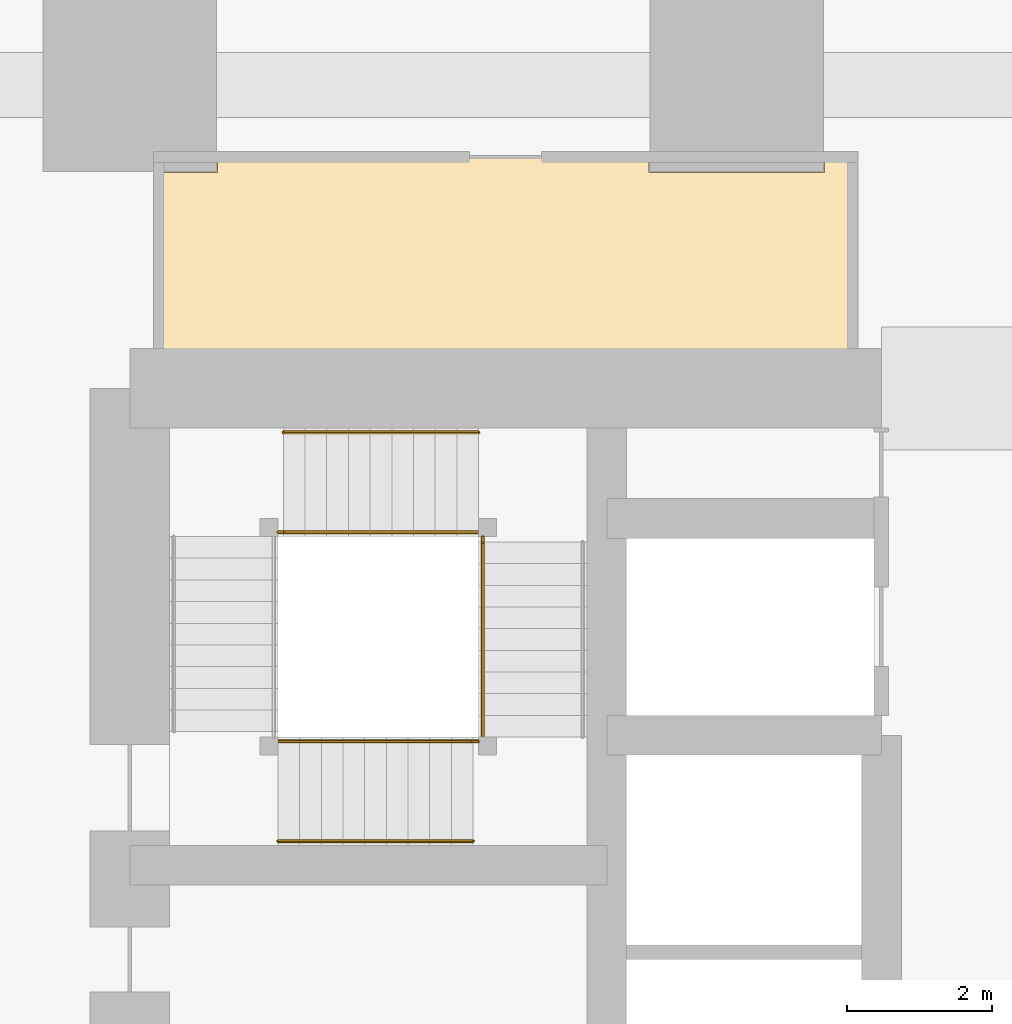
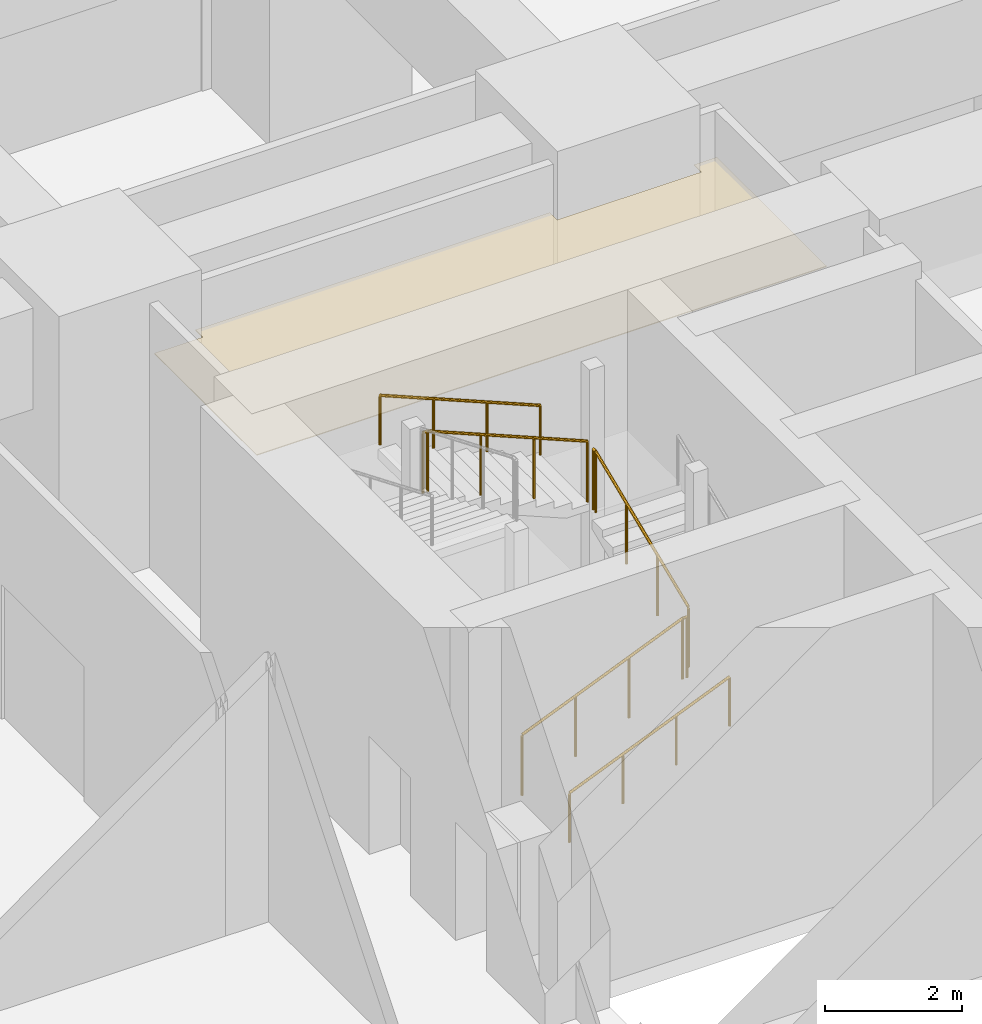
# One storey, part 46 of 49: 8 railings, 1 covering.
"""IFC4 building model written with IfcOpenShell, lengths in metres."""

import ifcopenshell
import ifcopenshell.guid

model = None  # the IFC model being written
_history = None  # IfcOwnerHistory: only IFC2X3 demands one
_inside = {}  # id of a spatial element -> (the spatial element, [elements in it])
_under = {}  # id of a project, library or spatial element -> (it, [spatial elements below it])
_declared = {}  # id of a project -> (the project, [libraries it declares])
_typed = {}  # id of a type object -> (the type object, [elements of that type])
_made_of = {}  # id of a material, layer set ... -> (it, [elements and type objects made of it])


def new_model(schema):
    """Start an empty IFC model of exactly this schema.

    Asked for "IFC4X3", IfcOpenShell would pick the latest addendum, in which some entities
    have other attributes; the version numbers below select the first issue.
    IFC2X3 requires an IfcOwnerHistory on every rooted entity: one is made here for all.
    """
    global model, _history
    if schema == "IFC4X3":
        model = ifcopenshell.file(schema_version=(4, 3, 0, 0))
    else:
        model = ifcopenshell.file(schema=schema)
    _inside.clear()
    _under.clear()
    _declared.clear()
    _typed.clear()
    _made_of.clear()
    _history = None
    if model.schema == "IFC2X3":
        org = make("IfcOrganization", Name="unknown")
        user = make(
            "IfcPersonAndOrganization",
            ThePerson=make("IfcPerson", FamilyName="unknown"),
            TheOrganization=org,
        )
        app = make(
            "IfcApplication",
            ApplicationDeveloper=org,
            Version="unknown",
            ApplicationFullName="unknown",
            ApplicationIdentifier="unknown",
        )
        _history = make(
            "IfcOwnerHistory",
            OwningUser=user,
            OwningApplication=app,
            ChangeAction="ADDED",
            CreationDate=0,
        )
    return model


def make(cls, **values):
    """One entity of the class cls with the attributes given. An attribute that is None is left unset."""
    return model.create_entity(
        cls, **{name: value for name, value in values.items() if value is not None}
    )


def rooted(cls, **values):
    """An entity with a GlobalId (a new one), such as an element, a storey or a relation."""
    return make(cls, GlobalId=ifcopenshell.guid.new(), OwnerHistory=_history, **values)


def si_unit(unit_type, name, prefix=None):
    """IfcSIUnit, for example si_unit("LENGTHUNIT", "METRE", prefix="MILLI")."""
    return make("IfcSIUnit", UnitType=unit_type, Prefix=prefix, Name=name)


def assignment(units):
    """IfcUnitAssignment: the units of a project."""
    return None if units is None else make("IfcUnitAssignment", Units=units)


def point(xyz):
    """IfcCartesianPoint."""
    return None if xyz is None else make("IfcCartesianPoint", Coordinates=xyz)


def direction(xyz):
    """IfcDirection."""
    return None if xyz is None else make("IfcDirection", DirectionRatios=xyz)


def frame(location, z_axis=None, x_axis=None):
    """IfcAxis2Placement3D, a coordinate frame: its origin and axes. An axis left out is left unset."""
    return make(
        "IfcAxis2Placement3D",
        Location=point(location),
        Axis=direction(z_axis),
        RefDirection=direction(x_axis),
    )


def frame_2d(location, x_axis=None):
    """IfcAxis2Placement2D, a coordinate frame in the plane: its origin and x axis."""
    return make(
        "IfcAxis2Placement2D", Location=point(location), RefDirection=direction(x_axis)
    )


def origin():
    """The frame at (0, 0, 0) with its axes left unset."""
    return frame((0.0, 0.0, 0.0))


def origin_2d():
    """The frame at (0, 0) in the plane with its x axis left unset."""
    return frame_2d((0.0, 0.0))


def place(relative_to, where):
    """IfcLocalPlacement: puts the frame where relative to a parent placement (None: the world)."""
    return make(
        "IfcLocalPlacement", PlacementRelTo=relative_to, RelativePlacement=where
    )


def context(
    kind, dimensions, precision=None, world=None, true_north=None, identifier=None
):
    """IfcGeometricRepresentationContext, for example the 3D "Model" context."""
    return make(
        "IfcGeometricRepresentationContext",
        ContextIdentifier=identifier,
        ContextType=kind,
        CoordinateSpaceDimension=dimensions,
        Precision=precision,
        WorldCoordinateSystem=world,
        TrueNorth=true_north,
    )


def subcontext(parent, identifier, kind, view, scale=None):
    """IfcGeometricRepresentationSubContext, for example "Body" below "Model"."""
    return make(
        "IfcGeometricRepresentationSubContext",
        ContextIdentifier=identifier,
        ContextType=kind,
        ParentContext=parent,
        TargetScale=scale,
        TargetView=view,
    )


def project(units=None, contexts=None):
    """IfcProject with its units and contexts."""
    return rooted(
        "IfcProject",
        Name="project",
        RepresentationContexts=contexts,
        UnitsInContext=assignment(units),
    )


def spatial(cls, under=None, at=None, **own):
    """A site, building, storey or space (cls), placed at a placement, below another one or the project."""
    s = rooted(cls, ObjectPlacement=at, **own)
    if under is not None:
        _under.setdefault(under.id(), (under, []))[1].append(s)
    return s


def polyline(points):
    """IfcPolyline through the points."""
    return make("IfcPolyline", Points=[point(p) for p in points])


def profile(cls, at=None, kind="AREA", **sizes):
    """A parametric profile (cls). Its sizes go by their IFC names, for example OverallWidth=200.0."""
    return make(cls, ProfileType=kind, Position=at, **sizes)


def circle(**sizes):
    """IfcCircleProfileDef."""
    return profile("IfcCircleProfileDef", **sizes)


def outline(outer, holes=None, kind="AREA"):
    """IfcArbitraryClosedProfileDef: a profile drawn as a closed curve; with holes, ...WithVoids."""
    if holes is None:
        return make("IfcArbitraryClosedProfileDef", ProfileType=kind, OuterCurve=outer)
    return make(
        "IfcArbitraryProfileDefWithVoids",
        ProfileType=kind,
        OuterCurve=outer,
        InnerCurves=holes,
    )


def extrude(swept, where, along, depth):
    """IfcExtrudedAreaSolid: the profile swept, set in the frame where, extruded along a direction by depth."""
    return make(
        "IfcExtrudedAreaSolid",
        SweptArea=swept,
        Position=where,
        ExtrudedDirection=direction(along),
        Depth=depth,
    )


def shape(context_of_items, identifier, shape_type, items):
    """IfcShapeRepresentation: the items that make up one representation, for example the "Body"."""
    return make(
        "IfcShapeRepresentation",
        ContextOfItems=context_of_items,
        RepresentationIdentifier=identifier,
        RepresentationType=shape_type,
        Items=items,
    )


def material(Name=None, Category=None):
    """IfcMaterial."""
    return make("IfcMaterial", Name=Name, Category=Category)


def layer(
    of_material, thickness, ventilated=None, Name=None, Category=None, Priority=None
):
    """IfcMaterialLayer: one layer of a wall or slab, of a material (None: an air gap)."""
    return make(
        "IfcMaterialLayer",
        Material=of_material,
        LayerThickness=thickness,
        IsVentilated=ventilated,
        Name=Name,
        Category=Category,
        Priority=Priority,
    )


def layer_set(layers, Name=None):
    """IfcMaterialLayerSet."""
    return make("IfcMaterialLayerSet", MaterialLayers=layers, LayerSetName=Name)


def made_of(thing, what):
    """Note that an element or type object is made of a material, layer set ...; save() writes the relation."""
    if what is not None:
        _made_of.setdefault(what.id(), (what, []))[1].append(thing)
    return thing


def type_object(cls, material=None, **own):
    """A type object (cls), such as IfcWallType, which elements share."""
    return made_of(rooted(cls, **own), material)


def element(
    cls,
    number,
    at=None,
    inside=None,
    cuts=None,
    type_object=None,
    material=None,
    context=None,
    identifier="Body",
    shape_type=None,
    held_by="IfcProductDefinitionShape",
    body=None,
    shapes=None,
    **own,
):
    """One element of the class cls, such as IfcWall. Its Tag is "e" and its number.

    at: its placement. inside: the storey or other place that contains it. cuts: it is an
    opening in that element (IfcRelVoidsElement). A single representation is given by context,
    identifier, shape_type and body (its items); several are given by shapes. held_by: the class
    of the entity that holds the representations. save() writes the other relations.
    """
    e = rooted(cls, Tag="e%d" % number, ObjectPlacement=at, **own)
    if body is not None:
        shapes = [shape(context, identifier, shape_type, body)]
    if shapes is not None:
        e.Representation = make(held_by, Representations=shapes)
    if inside is not None:
        _inside.setdefault(inside.id(), (inside, []))[1].append(e)
    if cuts is not None:
        rooted(
            "IfcRelVoidsElement", RelatingBuildingElement=cuts, RelatedOpeningElement=e
        )
    if type_object is not None:
        _typed.setdefault(type_object.id(), (type_object, []))[1].append(e)
    return made_of(e, material)


def aggregate(whole, parts):
    """IfcRelAggregates: a whole, such as a stair, and the parts it consists of."""
    return rooted("IfcRelAggregates", RelatingObject=whole, RelatedObjects=parts)


def save(model, path):
    """Write the relations noted so far, then the file.

    IfcRelAggregates (storeys below a building ...), IfcRelContainedInSpatialStructure (elements
    in a storey), IfcRelDefinesByType, IfcRelAssociatesMaterial and IfcRelDeclares: one each for
    every whole, place, type object, material and project.
    """
    for whole, parts in _under.values():
        aggregate(whole, parts)
    for where, things in _inside.values():
        rooted(
            "IfcRelContainedInSpatialStructure",
            RelatedElements=things,
            RelatingStructure=where,
        )
    for kind, things in _typed.values():
        rooted("IfcRelDefinesByType", RelatedObjects=things, RelatingType=kind)
    for what, things in _made_of.values():
        rooted("IfcRelAssociatesMaterial", RelatedObjects=things, RelatingMaterial=what)
    for by, libraries in _declared.values():
        rooted("IfcRelDeclares", RelatingContext=by, RelatedDefinitions=libraries)
    model.write(path)


model = new_model("IFC4")

# Units and contexts
model_context = context("Model", 3, precision=1e-05, world=origin(), true_north=direction((0.0, 1.0)))
body_context = subcontext(model_context, "Body", "Model", "MODEL_VIEW")
ifc_project = project(units=[si_unit("LENGTHUNIT", "METRE"), si_unit("AREAUNIT", "SQUARE_METRE"), si_unit("VOLUMEUNIT", "CUBIC_METRE"), si_unit("PLANEANGLEUNIT", "RADIAN"), si_unit("MASSUNIT", "GRAM", prefix="KILO")], contexts=[model_context])

# Site, building, storey
site_placement = place(None, origin())
site = spatial("IfcSite", under=ifc_project, at=site_placement, CompositionType="ELEMENT")
building_placement = place(site_placement, origin())
building = spatial("IfcBuilding", under=site, at=building_placement, Name="Rekha Terrace Tower", CompositionType="ELEMENT")
storey_placement = place(building_placement, frame((0.0, 0.0, 10.39990234375)))
storey = spatial("IfcBuildingStorey", under=building, at=storey_placement, Name="L02", CompositionType="ELEMENT", Elevation=10.39990234375)

# Covering
ifc_material_1 = material(Name="Fibre cement board", Category="finish")
ifc_layer = layer(ifc_material_1, 0.014892578125)
ifc_layer_set = layer_set([ifc_layer], Name="Fibre cement board")
covering_type = type_object("IfcCoveringType", Name="CL2 moisture-resistant board ceiling", PredefinedType="CEILING", material=ifc_layer_set)
covering_placement = place(storey_placement, frame((0.0, 0.0, 3.78515625)))
element("IfcCovering", 1, at=covering_placement, inside=storey, type_object=covering_type, Name="Ceiling L02-WCF2", PredefinedType="CEILING", context=body_context, shape_type="SweptSolid", body=[
    extrude(outline(polyline([(26.4150390625, 49.18505859375), (25.60009765625, 49.18505859375), (25.60009765625, 46.199951171875), (35.199951171875, 46.199951171875), (35.199951171875, 49.39990234375), (34.81494140625, 49.39990234375), (34.81494140625, 49.18505859375), (32.385009765625, 49.18505859375), (32.385009765625, 49.39990234375), (26.4150390625, 49.39990234375), (26.4150390625, 49.18505859375)])), origin(), (0.0, 0.0, 1.0), 0.014892578125),
])

# Railings
ifc_material_2 = material(Name="Stainless steel balustrade", Category="steel")
railing_type_1 = type_object("IfcRailingType", Name="GR1 1100 stair guard", PredefinedType="GUARDRAIL", material=ifc_material_2)
railing_1_placement = place(storey_placement, frame((27.25, 41.31494140625, 0.125)))
element("IfcRailing", 2, at=railing_1_placement, inside=storey, type_object=railing_type_1, Name="Guard ST4 L02 flight 1", PredefinedType="GUARDRAIL", context=body_context, shape_type="SweptSolid", body=[
    extrude(circle(Radius=0.02392578125, at=origin_2d()), frame((0.0, 0.0, 1.076171875), z_axis=(0.923074453586, 0.0, 0.384621311341), x_axis=(0.0, 1.0, 0.0)), (0.0, 0.0, 1.0), 2.925048828125),
    extrude(circle(Radius=0.02099609375, at=origin_2d()), origin(), (0.0, 0.0, 1.0), 1.052001953125),
    extrude(circle(Radius=0.02099609375, at=origin_2d()), frame((0.89990234375, 0.0, 0.375)), (0.0, 0.0, 1.0), 1.052001953125),
    extrude(circle(Radius=0.02099609375, at=origin_2d()), frame((1.800048828125, 0.0, 0.75)), (0.0, 0.0, 1.0), 1.052001953125),
    extrude(circle(Radius=0.02099609375, at=origin_2d()), frame((2.699951171875, 0.0, 1.125)), (0.0, 0.0, 1.0), 1.052001953125),
])
railing_2_placement = place(storey_placement, frame((30.0849609375, 41.375, 1.375)))
element("IfcRailing", 3, at=railing_2_placement, inside=storey, type_object=railing_type_1, Name="Guard ST4 L02 flight 2", PredefinedType="GUARDRAIL", context=body_context, shape_type="SweptSolid", body=[
    extrude(circle(Radius=0.02392578125, at=origin_2d()), frame((0.0, 0.0, 1.076171875), z_axis=(0.0, 0.923074453586, 0.384621311341), x_axis=(-1.0, 0.0, 0.0)), (0.0, 0.0, 1.0), 2.925048828125),
    extrude(circle(Radius=0.02099609375, at=origin_2d()), origin(), (0.0, 0.0, 1.0), 1.052001953125),
    extrude(circle(Radius=0.02099609375, at=origin_2d()), frame((0.0, 0.89990234375, 0.375)), (0.0, 0.0, 1.0), 1.052001953125),
    extrude(circle(Radius=0.02099609375, at=origin_2d()), frame((0.0, 1.800048828125, 0.75)), (0.0, 0.0, 1.0), 1.052001953125),
    extrude(circle(Radius=0.02099609375, at=origin_2d()), frame((0.0, 2.699951171875, 1.125)), (0.0, 0.0, 1.0), 1.052001953125),
])
railing_3_placement = place(storey_placement, frame((30.02490234375, 44.2099609375, 2.625)))
element("IfcRailing", 4, at=railing_3_placement, inside=storey, type_object=railing_type_1, Name="Guard ST4 L02 flight 3", PredefinedType="GUARDRAIL", context=body_context, shape_type="SweptSolid", body=[
    extrude(circle(Radius=0.02392578125, at=origin_2d()), frame((0.0, 0.0, 1.076171875), z_axis=(-0.923074453586, 0.0, 0.384621311341), x_axis=(0.0, -1.0, 0.0)), (0.0, 0.0, 1.0), 2.925048828125),
    extrude(circle(Radius=0.02099609375, at=origin_2d()), origin(), (0.0, 0.0, 1.0), 1.052001953125),
    extrude(circle(Radius=0.02099609375, at=origin_2d()), frame((-0.89990234375, 0.0, 0.375)), (0.0, 0.0, 1.0), 1.052001953125),
    extrude(circle(Radius=0.02099609375, at=origin_2d()), frame((-1.800048828125, 0.0, 0.75)), (0.0, 0.0, 1.0), 1.052001953125),
    extrude(circle(Radius=0.02099609375, at=origin_2d()), frame((-2.699951171875, 0.0, 1.125)), (0.0, 0.0, 1.0), 1.052001953125),
])
railing_4_placement = place(storey_placement, frame((29.949951171875, 41.31494140625, 1.25)))
element("IfcRailing", 5, at=railing_4_placement, inside=storey, type_object=railing_type_1, Name="Guard ST4 L02 landing 1", PredefinedType="GUARDRAIL", context=body_context, shape_type="SweptSolid", body=[
    extrude(circle(Radius=0.02392578125, at=origin_2d()), frame((0.0, 0.0, 1.076171875), z_axis=(1.0, 0.0, 0.0), x_axis=(0.0, 1.0, 0.0)), (0.0, 0.0, 1.0), 0.074951171875),
    extrude(circle(Radius=0.02099609375, at=origin_2d()), origin(), (0.0, 0.0, 1.0), 1.052001953125),
    extrude(circle(Radius=0.02099609375, at=origin_2d()), frame((0.074951171875, 0.0, 0.0)), (0.0, 0.0, 1.0), 1.052001953125),
])
railing_5_placement = place(storey_placement, frame((30.0849609375, 44.074951171875, 2.5)))
element("IfcRailing", 6, at=railing_5_placement, inside=storey, type_object=railing_type_1, Name="Guard ST4 L02 landing 2", PredefinedType="GUARDRAIL", context=body_context, shape_type="SweptSolid", body=[
    extrude(circle(Radius=0.02392578125, at=origin_2d()), frame((0.0, 0.0, 1.076171875), z_axis=(0.0, 1.0, 0.0), x_axis=(-1.0, 0.0, 0.0)), (0.0, 0.0, 1.0), 0.074951171875),
    extrude(circle(Radius=0.02099609375, at=origin_2d()), origin(), (0.0, 0.0, 1.0), 1.052001953125),
    extrude(circle(Radius=0.02099609375, at=origin_2d()), frame((0.0, 0.074951171875, 0.0)), (0.0, 0.0, 1.0), 1.052001953125),
])
railing_6_placement = place(storey_placement, frame((27.25, 44.2099609375, 3.75)))
element("IfcRailing", 7, at=railing_6_placement, inside=storey, type_object=railing_type_1, Name="Guard ST4 L02 landing 3", PredefinedType="GUARDRAIL", context=body_context, shape_type="SweptSolid", body=[
    extrude(circle(Radius=0.02392578125, at=origin_2d()), frame((0.0, 0.0, 1.076171875), z_axis=(1.0, 0.0, 0.0), x_axis=(0.0, 1.0, 0.0)), (0.0, 0.0, 1.0), 0.074951171875),
    extrude(circle(Radius=0.02099609375, at=origin_2d()), origin(), (0.0, 0.0, 1.0), 1.052001953125),
    extrude(circle(Radius=0.02099609375, at=origin_2d()), frame((0.074951171875, 0.0, 0.0)), (0.0, 0.0, 1.0), 1.052001953125),
])
ifc_material_3 = material(Name="Stainless steel tube", Category="steel")
railing_type_2 = type_object("IfcRailingType", Name="HR1 900 stair handrail", PredefinedType="HANDRAIL", material=ifc_material_3)
railing_7_placement = place(storey_placement, frame((27.25, 39.93505859375, 0.125)))
element("IfcRailing", 8, at=railing_7_placement, inside=storey, type_object=railing_type_2, Name="Handrail ST4 L02 flight 1", PredefinedType="HANDRAIL", context=body_context, shape_type="SweptSolid", body=[
    extrude(circle(Radius=0.02392578125, at=origin_2d()), frame((0.0, 0.0, 0.8759765625), z_axis=(0.923074453586, 0.0, 0.384621311341), x_axis=(0.0, 1.0, 0.0)), (0.0, 0.0, 1.0), 2.925048828125),
    extrude(circle(Radius=0.02099609375, at=origin_2d()), origin(), (0.0, 0.0, 1.0), 0.851806640625),
    extrude(circle(Radius=0.02099609375, at=origin_2d()), frame((0.89990234375, 0.0, 0.375)), (0.0, 0.0, 1.0), 0.851806640625),
    extrude(circle(Radius=0.02099609375, at=origin_2d()), frame((1.800048828125, 0.0, 0.75)), (0.0, 0.0, 1.0), 0.851806640625),
    extrude(circle(Radius=0.02099609375, at=origin_2d()), frame((2.699951171875, 0.0, 1.125)), (0.0, 0.0, 1.0), 0.851806640625),
])
railing_8_placement = place(storey_placement, frame((30.02490234375, 45.590087890625, 2.625)))
element("IfcRailing", 9, at=railing_8_placement, inside=storey, type_object=railing_type_2, Name="Handrail ST4 L02 flight 3", PredefinedType="HANDRAIL", context=body_context, shape_type="SweptSolid", body=[
    extrude(circle(Radius=0.02392578125, at=origin_2d()), frame((0.0, 0.0, 0.8759765625), z_axis=(-0.923074453586, 0.0, 0.384621311341), x_axis=(0.0, -1.0, 0.0)), (0.0, 0.0, 1.0), 2.925048828125),
    extrude(circle(Radius=0.02099609375, at=origin_2d()), origin(), (0.0, 0.0, 1.0), 0.851806640625),
    extrude(circle(Radius=0.02099609375, at=origin_2d()), frame((-0.89990234375, 0.0, 0.375)), (0.0, 0.0, 1.0), 0.851806640625),
    extrude(circle(Radius=0.02099609375, at=origin_2d()), frame((-1.800048828125, 0.0, 0.75)), (0.0, 0.0, 1.0), 0.851806640625),
    extrude(circle(Radius=0.02099609375, at=origin_2d()), frame((-2.699951171875, 0.0, 1.125)), (0.0, 0.0, 1.0), 0.851806640625),
])

save(model, "model.ifc")
